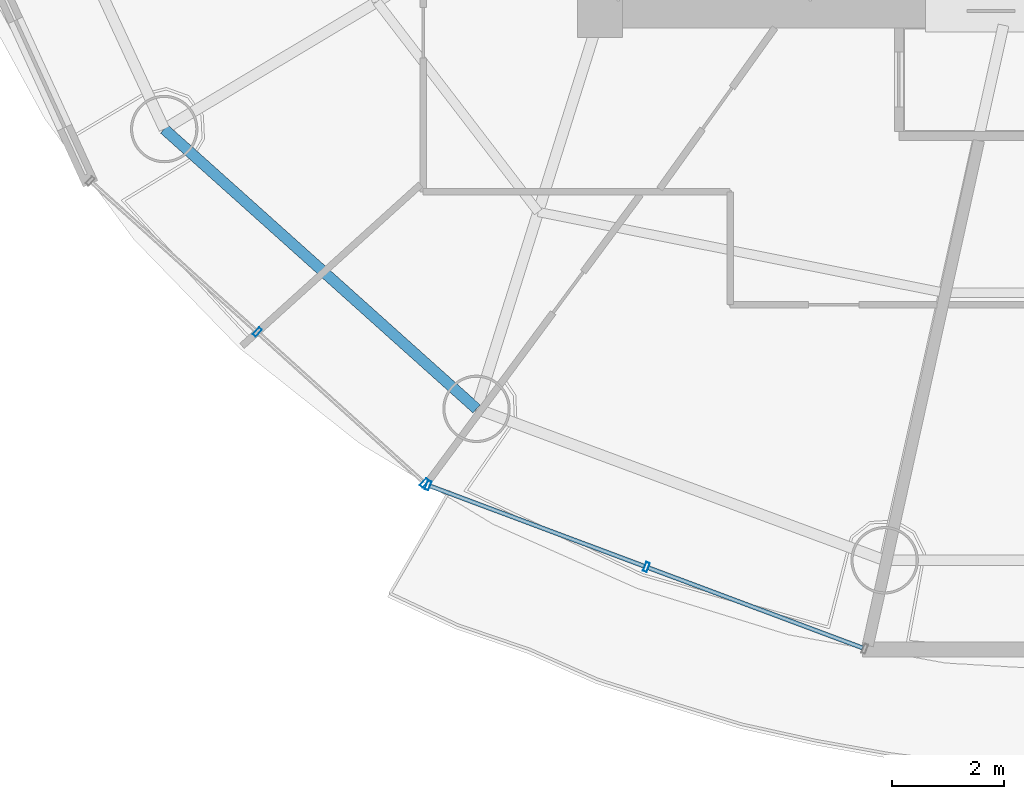
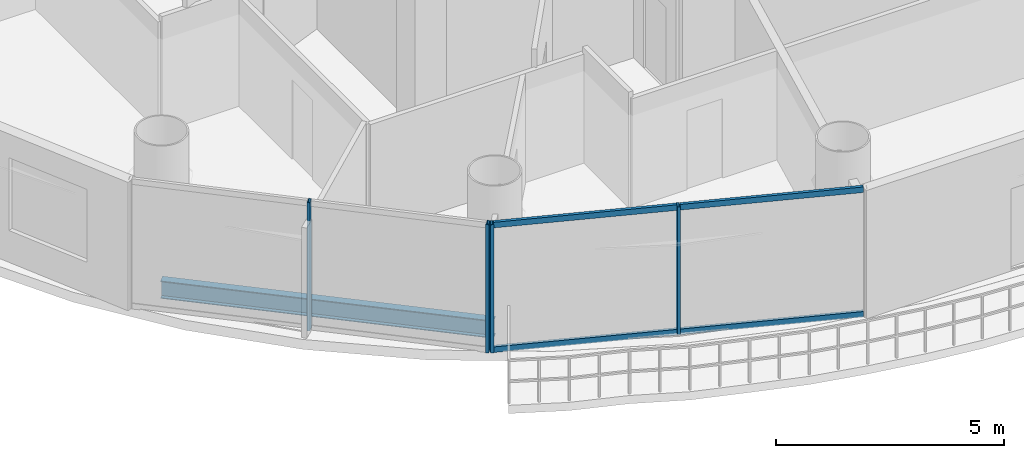
# One storey, part 2 of 26: 8 members, 1 beam, 2 elements without a shape of their own.
"""IFC4 building model written with IfcOpenShell, lengths in metres."""

from ifc_helpers import new_model, si_unit, direction, frame, origin, origin_2d, place, context, subcontext, project, spatial, hollow_rectangle, i_section, extrude, source, transform, mapped, material, material_profile, profile_set, type_object, element, aggregate, save


model = new_model("IFC4")

# Units and contexts
model_context = context("Model", 3, precision=1e-05, world=origin(), true_north=direction((-0.2419218956, 0.970295726276)))
body_context = subcontext(model_context, "Body", "Model", "MODEL_VIEW")
ifc_project = project(units=[si_unit("LENGTHUNIT", "METRE"), si_unit("AREAUNIT", "SQUARE_METRE"), si_unit("VOLUMEUNIT", "CUBIC_METRE"), si_unit("PLANEANGLEUNIT", "RADIAN"), si_unit("MASSUNIT", "GRAM", prefix="KILO")], contexts=[model_context])

# Site, building, storey
site_placement = place(None, origin())
site = spatial("IfcSite", under=ifc_project, at=site_placement, CompositionType="ELEMENT")
building_placement = place(site_placement, origin())
building = spatial("IfcBuilding", under=site, at=building_placement, Name="Cobrevalo Terracotta Tower", CompositionType="ELEMENT")
storey_placement = place(building_placement, frame((0.0, 0.0, 235.60009765625)))
storey = spatial("IfcBuildingStorey", under=building, at=storey_placement, Name="L62", CompositionType="ELEMENT", Elevation=235.60009765625)

# Beam
ifc_material_1 = material(Name="Steel S355", Category="steel")
ifc_material_profile_1 = material_profile(ifc_material_1, i_section(OverallWidth=0.194091796875, OverallDepth=0.468994140625, WebThickness=0.011474609375, FlangeThickness=0.0205078125, at=origin_2d()), Name="W 460x106")
ifc_profile_set_1 = profile_set([ifc_material_profile_1], Name="Steel S355")
beam_type = type_object("IfcBeamType", Name="Structural Spandrel W 460x106 (Steel S355)", PredefinedType="SPANDREL", material=ifc_profile_set_1)
beam_placement = place(storey_placement, frame((21.245849609375, 16.77197265625, -0.49951171875), z_axis=(0.744851930997, -0.667229796165, 0.0), x_axis=(0.667229796165, 0.744851930997, 0.0)))
element("IfcBeam", 1, at=beam_placement, inside=storey, type_object=beam_type, Name="L62 perimeter ring spandrel 10", PredefinedType="SPANDREL", context=body_context, shape_type="SweptSolid", body=[
    extrude(i_section(OverallWidth=0.194091796875, OverallDepth=0.468994140625, WebThickness=0.011474609375, FlangeThickness=0.0205078125, at=origin_2d()), origin(), (0.0, 0.0, 1.0), 7.463623046875),
])

# Curtain wall, members
ifc_material_2 = material(Name="Anodized aluminium", Category="aluminium")
curtain_wall_type = type_object("IfcCurtainWallType", Name="Mid-tower high-wind unitised curtain wall CW-U2", PredefinedType="NOTDEFINED", material=ifc_material_2)
curtain_wall_1_placement = place(storey_placement, origin())
curtain_wall_1 = element("IfcCurtainWall", 2, at=curtain_wall_1_placement, inside=storey, type_object=curtain_wall_type, Name="L62 curtain wall CW-L62-S11", PredefinedType="NOTDEFINED")
ifc_material_profile_2 = material_profile(ifc_material_2, hollow_rectangle(XDim=0.074951171875, YDim=0.14990234375, WallThickness=0.00439453125, at=origin_2d()), Name="CWT 75x150")
ifc_profile_set_2 = profile_set([ifc_material_profile_2], Name="Anodized aluminium")
member_type_1 = type_object("IfcMemberType", Name="Tower unitised aluminium transom 75x150", PredefinedType="USERDEFINED", material=ifc_profile_set_2)
shared_shape_1 = source(origin(), body_context, "Body", "SweptSolid", [
    extrude(hollow_rectangle(XDim=0.074951171875, YDim=0.14990234375, WallThickness=0.00439453125, at=origin_2d()), origin(), (0.0, 0.0, 1.0), 4.069580078125),
])
member_1_placement = place(storey_placement, frame((25.980224609375, 10.4169921875, 0.0498046875), z_axis=(0.936548420649, -0.350538237259, 0.0), x_axis=(0.350538237259, 0.936548420649, 0.0)))
member_1 = element("IfcMember", 3, at=member_1_placement, type_object=member_type_1, Name="CW-L62-S11 transom B01-T1", ObjectType="TRANSOM", PredefinedType="USERDEFINED", context=body_context, shape_type="MappedRepresentation", body=[
    mapped(shared_shape_1, transform((0.0, 0.0, 0.0), scale=1.0)),
])
member_2_placement = place(storey_placement, frame((25.980224609375, 10.4169921875, 3.385009765625), z_axis=(0.936548420649, -0.350538237259, 0.0), x_axis=(0.350538237259, 0.936548420649, 0.0)))
member_2 = element("IfcMember", 4, at=member_2_placement, type_object=member_type_1, Name="CW-L62-S11 transom B01-T2", ObjectType="TRANSOM", PredefinedType="USERDEFINED", context=body_context, shape_type="MappedRepresentation", body=[
    mapped(shared_shape_1, transform((0.0, 0.0, 0.0), scale=1.0)),
])
shared_shape_2 = source(origin(), body_context, "Body", "SweptSolid", [
    extrude(hollow_rectangle(XDim=0.074951171875, YDim=0.14990234375, WallThickness=0.00439453125, at=origin_2d()), origin(), (0.0, 0.0, 1.0), 4.06982421875),
])
member_3_placement = place(storey_placement, frame((29.866455078125, 8.96240234375, 0.0498046875), z_axis=(0.936555791772, -0.350518542873, 0.0), x_axis=(0.350518542873, 0.936555791772, 0.0)))
member_3 = element("IfcMember", 5, at=member_3_placement, type_object=member_type_1, Name="CW-L62-S11 transom B02-T1", ObjectType="TRANSOM", PredefinedType="USERDEFINED", context=body_context, shape_type="MappedRepresentation", body=[
    mapped(shared_shape_2, transform((0.0, 0.0, 0.0), scale=1.0)),
])
member_4_placement = place(storey_placement, frame((29.866455078125, 8.96240234375, 3.385009765625), z_axis=(0.936555791772, -0.350518542873, 0.0), x_axis=(0.350518542873, 0.936555791772, 0.0)))
member_4 = element("IfcMember", 6, at=member_4_placement, type_object=member_type_1, Name="CW-L62-S11 transom B02-T2", ObjectType="TRANSOM", PredefinedType="USERDEFINED", context=body_context, shape_type="MappedRepresentation", body=[
    mapped(shared_shape_2, transform((0.0, 0.0, 0.0), scale=1.0)),
])

curtain_wall_2_placement = place(storey_placement, origin())
curtain_wall_2 = element("IfcCurtainWall", 7, at=curtain_wall_2_placement, inside=storey, type_object=curtain_wall_type, Name="L62 curtain wall CW-L62-S10", PredefinedType="NOTDEFINED")
ifc_material_profile_3 = material_profile(ifc_material_2, hollow_rectangle(XDim=0.070068359375, YDim=0.169921875, WallThickness=0.00439453125, at=origin_2d()), Name="CWM 70x170")
ifc_profile_set_3 = profile_set([ifc_material_profile_3], Name="Anodized aluminium")
member_type_2 = type_object("IfcMemberType", Name="Upper tower unitised mullion 70x170", PredefinedType="MULLION", material=ifc_profile_set_3)
shared_shape_3 = source(origin(), body_context, "Body", "SweptSolid", [
    extrude(hollow_rectangle(XDim=0.070068359375, YDim=0.169921875, WallThickness=0.00439453125, at=origin_2d()), origin(), (0.0, 0.0, 1.0), 3.434814453125),
])
member_5_placement = place(storey_placement, frame((22.902099609375, 13.158447265625, 0.0), z_axis=(0.0, 0.0, 1.0), x_axis=(0.741987542015, -0.670413668935, 0.0)))
member_5 = element("IfcMember", 8, at=member_5_placement, type_object=member_type_2, Name="CW-L62-S10 vertical mullion 02", PredefinedType="MULLION", context=body_context, shape_type="MappedRepresentation", body=[
    mapped(shared_shape_3, transform((0.0, 0.0, 0.0), scale=1.0)),
])
member_6_placement = place(storey_placement, frame((25.87548828125, 10.471923828125, 0.0), z_axis=(0.0, 0.0, 1.0), x_axis=(0.741987542015, -0.670413668935, 0.0)))
member_6 = element("IfcMember", 9, at=member_6_placement, type_object=member_type_2, Name="CW-L62-S10 vertical mullion 03", PredefinedType="MULLION", context=body_context, shape_type="MappedRepresentation", body=[
    mapped(shared_shape_3, transform((0.0, 0.0, 0.0), scale=1.0)),
])
aggregate(curtain_wall_2, [member_5, member_6])

# Member
member_7_placement = place(storey_placement, frame((25.942626953125, 10.430908203125, 0.0), z_axis=(0.0, 0.0, 1.0), x_axis=(0.936556004584, -0.350517974259, 0.0)))
member_7 = element("IfcMember", 10, at=member_7_placement, type_object=member_type_2, Name="CW-L62-S11 vertical mullion 01", PredefinedType="MULLION", context=body_context, shape_type="MappedRepresentation", body=[
    mapped(shared_shape_3, transform((0.0, 0.0, 0.0), scale=1.0)),
])

member_8_placement = place(storey_placement, frame((29.8291015625, 8.9765625, 0.0), z_axis=(0.0, 0.0, 1.0), x_axis=(0.936556004584, -0.350517974259, 0.0)))
member_8 = element("IfcMember", 11, at=member_8_placement, type_object=member_type_2, Name="CW-L62-S11 vertical mullion 02", PredefinedType="MULLION", context=body_context, shape_type="MappedRepresentation", body=[
    mapped(shared_shape_3, transform((0.0, 0.0, 0.0), scale=1.0)),
])

aggregate(curtain_wall_1, [member_7, member_8, member_1, member_2, member_3, member_4])

save(model, "model.ifc")
